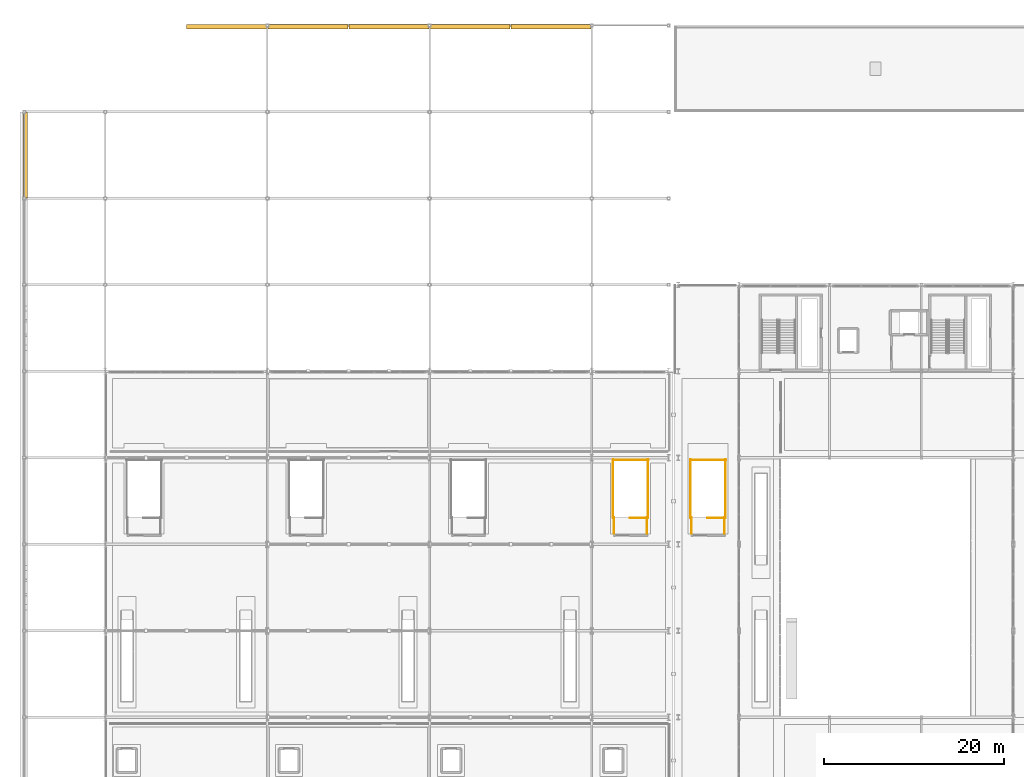
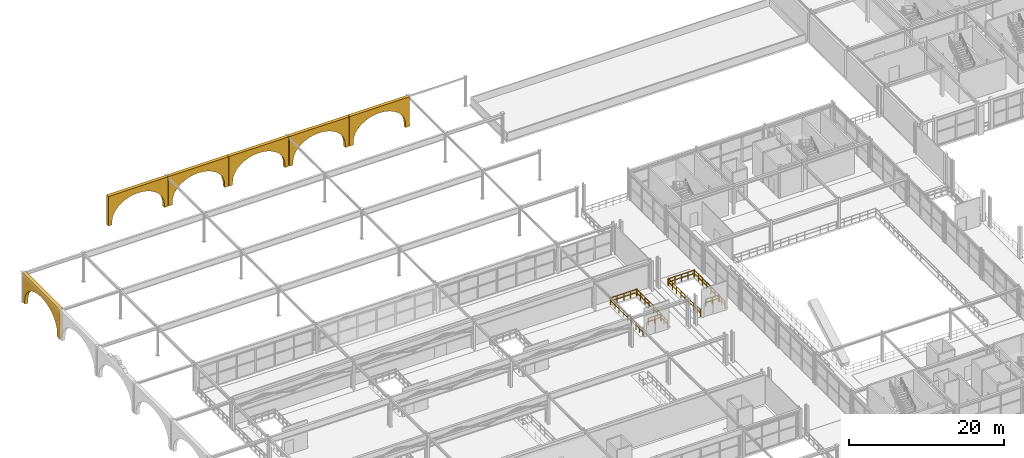
# One storey, part 105 of 125: 14 railings, 6 coverings.
"""IFC4 building model written with IfcOpenShell, lengths in metres."""

import ifcopenshell
import ifcopenshell.guid

model = None  # the IFC model being written
_history = None  # IfcOwnerHistory: only IFC2X3 demands one
_inside = {}  # id of a spatial element -> (the spatial element, [elements in it])
_under = {}  # id of a project, library or spatial element -> (it, [spatial elements below it])
_declared = {}  # id of a project -> (the project, [libraries it declares])
_typed = {}  # id of a type object -> (the type object, [elements of that type])
_made_of = {}  # id of a material, layer set ... -> (it, [elements and type objects made of it])


def new_model(schema):
    """Start an empty IFC model of exactly this schema.

    Asked for "IFC4X3", IfcOpenShell would pick the latest addendum, in which some entities
    have other attributes; the version numbers below select the first issue.
    IFC2X3 requires an IfcOwnerHistory on every rooted entity: one is made here for all.
    """
    global model, _history
    if schema == "IFC4X3":
        model = ifcopenshell.file(schema_version=(4, 3, 0, 0))
    else:
        model = ifcopenshell.file(schema=schema)
    _inside.clear()
    _under.clear()
    _declared.clear()
    _typed.clear()
    _made_of.clear()
    _history = None
    if model.schema == "IFC2X3":
        org = make("IfcOrganization", Name="unknown")
        user = make(
            "IfcPersonAndOrganization",
            ThePerson=make("IfcPerson", FamilyName="unknown"),
            TheOrganization=org,
        )
        app = make(
            "IfcApplication",
            ApplicationDeveloper=org,
            Version="unknown",
            ApplicationFullName="unknown",
            ApplicationIdentifier="unknown",
        )
        _history = make(
            "IfcOwnerHistory",
            OwningUser=user,
            OwningApplication=app,
            ChangeAction="ADDED",
            CreationDate=0,
        )
    return model


def make(cls, **values):
    """One entity of the class cls with the attributes given. An attribute that is None is left unset."""
    return model.create_entity(
        cls, **{name: value for name, value in values.items() if value is not None}
    )


def rooted(cls, **values):
    """An entity with a GlobalId (a new one), such as an element, a storey or a relation."""
    return make(cls, GlobalId=ifcopenshell.guid.new(), OwnerHistory=_history, **values)


def si_unit(unit_type, name, prefix=None):
    """IfcSIUnit, for example si_unit("LENGTHUNIT", "METRE", prefix="MILLI")."""
    return make("IfcSIUnit", UnitType=unit_type, Prefix=prefix, Name=name)


def assignment(units):
    """IfcUnitAssignment: the units of a project."""
    return None if units is None else make("IfcUnitAssignment", Units=units)


def point(xyz):
    """IfcCartesianPoint."""
    return None if xyz is None else make("IfcCartesianPoint", Coordinates=xyz)


def direction(xyz):
    """IfcDirection."""
    return None if xyz is None else make("IfcDirection", DirectionRatios=xyz)


def frame(location, z_axis=None, x_axis=None):
    """IfcAxis2Placement3D, a coordinate frame: its origin and axes. An axis left out is left unset."""
    return make(
        "IfcAxis2Placement3D",
        Location=point(location),
        Axis=direction(z_axis),
        RefDirection=direction(x_axis),
    )


def frame_2d(location, x_axis=None):
    """IfcAxis2Placement2D, a coordinate frame in the plane: its origin and x axis."""
    return make(
        "IfcAxis2Placement2D", Location=point(location), RefDirection=direction(x_axis)
    )


def origin():
    """The frame at (0, 0, 0) with its axes left unset."""
    return frame((0.0, 0.0, 0.0))


def origin_2d():
    """The frame at (0, 0) in the plane with its x axis left unset."""
    return frame_2d((0.0, 0.0))


def place(relative_to, where):
    """IfcLocalPlacement: puts the frame where relative to a parent placement (None: the world)."""
    return make(
        "IfcLocalPlacement", PlacementRelTo=relative_to, RelativePlacement=where
    )


def context(
    kind, dimensions, precision=None, world=None, true_north=None, identifier=None
):
    """IfcGeometricRepresentationContext, for example the 3D "Model" context."""
    return make(
        "IfcGeometricRepresentationContext",
        ContextIdentifier=identifier,
        ContextType=kind,
        CoordinateSpaceDimension=dimensions,
        Precision=precision,
        WorldCoordinateSystem=world,
        TrueNorth=true_north,
    )


def subcontext(parent, identifier, kind, view, scale=None):
    """IfcGeometricRepresentationSubContext, for example "Body" below "Model"."""
    return make(
        "IfcGeometricRepresentationSubContext",
        ContextIdentifier=identifier,
        ContextType=kind,
        ParentContext=parent,
        TargetScale=scale,
        TargetView=view,
    )


def project(units=None, contexts=None):
    """IfcProject with its units and contexts."""
    return rooted(
        "IfcProject",
        Name="project",
        RepresentationContexts=contexts,
        UnitsInContext=assignment(units),
    )


def spatial(cls, under=None, at=None, **own):
    """A site, building, storey or space (cls), placed at a placement, below another one or the project."""
    s = rooted(cls, ObjectPlacement=at, **own)
    if under is not None:
        _under.setdefault(under.id(), (under, []))[1].append(s)
    return s


def polyline(points):
    """IfcPolyline through the points."""
    return make("IfcPolyline", Points=[point(p) for p in points])


def profile(cls, at=None, kind="AREA", **sizes):
    """A parametric profile (cls). Its sizes go by their IFC names, for example OverallWidth=200.0."""
    return make(cls, ProfileType=kind, Position=at, **sizes)


def rectangle(**sizes):
    """IfcRectangleProfileDef."""
    return profile("IfcRectangleProfileDef", **sizes)


def outline(outer, holes=None, kind="AREA"):
    """IfcArbitraryClosedProfileDef: a profile drawn as a closed curve; with holes, ...WithVoids."""
    if holes is None:
        return make("IfcArbitraryClosedProfileDef", ProfileType=kind, OuterCurve=outer)
    return make(
        "IfcArbitraryProfileDefWithVoids",
        ProfileType=kind,
        OuterCurve=outer,
        InnerCurves=holes,
    )


def extrude(swept, where, along, depth):
    """IfcExtrudedAreaSolid: the profile swept, set in the frame where, extruded along a direction by depth."""
    return make(
        "IfcExtrudedAreaSolid",
        SweptArea=swept,
        Position=where,
        ExtrudedDirection=direction(along),
        Depth=depth,
    )


def shape(context_of_items, identifier, shape_type, items):
    """IfcShapeRepresentation: the items that make up one representation, for example the "Body"."""
    return make(
        "IfcShapeRepresentation",
        ContextOfItems=context_of_items,
        RepresentationIdentifier=identifier,
        RepresentationType=shape_type,
        Items=items,
    )


def material(Name=None, Category=None):
    """IfcMaterial."""
    return make("IfcMaterial", Name=Name, Category=Category)


def layer(
    of_material, thickness, ventilated=None, Name=None, Category=None, Priority=None
):
    """IfcMaterialLayer: one layer of a wall or slab, of a material (None: an air gap)."""
    return make(
        "IfcMaterialLayer",
        Material=of_material,
        LayerThickness=thickness,
        IsVentilated=ventilated,
        Name=Name,
        Category=Category,
        Priority=Priority,
    )


def layer_set(layers, Name=None):
    """IfcMaterialLayerSet."""
    return make("IfcMaterialLayerSet", MaterialLayers=layers, LayerSetName=Name)


def made_of(thing, what):
    """Note that an element or type object is made of a material, layer set ...; save() writes the relation."""
    if what is not None:
        _made_of.setdefault(what.id(), (what, []))[1].append(thing)
    return thing


def type_object(cls, material=None, **own):
    """A type object (cls), such as IfcWallType, which elements share."""
    return made_of(rooted(cls, **own), material)


def element(
    cls,
    number,
    at=None,
    inside=None,
    cuts=None,
    type_object=None,
    material=None,
    context=None,
    identifier="Body",
    shape_type=None,
    held_by="IfcProductDefinitionShape",
    body=None,
    shapes=None,
    **own,
):
    """One element of the class cls, such as IfcWall. Its Tag is "e" and its number.

    at: its placement. inside: the storey or other place that contains it. cuts: it is an
    opening in that element (IfcRelVoidsElement). A single representation is given by context,
    identifier, shape_type and body (its items); several are given by shapes. held_by: the class
    of the entity that holds the representations. save() writes the other relations.
    """
    e = rooted(cls, Tag="e%d" % number, ObjectPlacement=at, **own)
    if body is not None:
        shapes = [shape(context, identifier, shape_type, body)]
    if shapes is not None:
        e.Representation = make(held_by, Representations=shapes)
    if inside is not None:
        _inside.setdefault(inside.id(), (inside, []))[1].append(e)
    if cuts is not None:
        rooted(
            "IfcRelVoidsElement", RelatingBuildingElement=cuts, RelatedOpeningElement=e
        )
    if type_object is not None:
        _typed.setdefault(type_object.id(), (type_object, []))[1].append(e)
    return made_of(e, material)


def aggregate(whole, parts):
    """IfcRelAggregates: a whole, such as a stair, and the parts it consists of."""
    return rooted("IfcRelAggregates", RelatingObject=whole, RelatedObjects=parts)


def save(model, path):
    """Write the relations noted so far, then the file.

    IfcRelAggregates (storeys below a building ...), IfcRelContainedInSpatialStructure (elements
    in a storey), IfcRelDefinesByType, IfcRelAssociatesMaterial and IfcRelDeclares: one each for
    every whole, place, type object, material and project.
    """
    for whole, parts in _under.values():
        aggregate(whole, parts)
    for where, things in _inside.values():
        rooted(
            "IfcRelContainedInSpatialStructure",
            RelatedElements=things,
            RelatingStructure=where,
        )
    for kind, things in _typed.values():
        rooted("IfcRelDefinesByType", RelatedObjects=things, RelatingType=kind)
    for what, things in _made_of.values():
        rooted("IfcRelAssociatesMaterial", RelatedObjects=things, RelatingMaterial=what)
    for by, libraries in _declared.values():
        rooted("IfcRelDeclares", RelatingContext=by, RelatedDefinitions=libraries)
    model.write(path)


model = new_model("IFC4")

# Units and contexts
model_context = context("Model", 3, precision=1e-05, world=origin(), true_north=direction((0.0, 1.0)))
body_context = subcontext(model_context, "Body", "Model", "MODEL_VIEW")
ifc_project = project(units=[si_unit("LENGTHUNIT", "METRE"), si_unit("AREAUNIT", "SQUARE_METRE"), si_unit("VOLUMEUNIT", "CUBIC_METRE"), si_unit("PLANEANGLEUNIT", "RADIAN"), si_unit("MASSUNIT", "GRAM", prefix="KILO")], contexts=[model_context])

# Site, building, storey
site_placement = place(None, origin())
site = spatial("IfcSite", under=ifc_project, at=site_placement, CompositionType="ELEMENT")
building_placement = place(site_placement, origin())
building = spatial("IfcBuilding", under=site, at=building_placement, Name="Myrtia Square Station", CompositionType="ELEMENT")
storey_placement = place(building_placement, frame((0.0, 0.0, 6.0)))
storey = spatial("IfcBuildingStorey", under=building, at=storey_placement, Name="L01", CompositionType="ELEMENT", Elevation=6.0)

# Coverings
ifc_material_1 = material(Name="Pentelic marble ashlar", Category="masonry")
ifc_layer = layer(ifc_material_1, 0.4599609375, Name="Pentelic marble ashlar")
ifc_layer_set = layer_set([ifc_layer], Name="Pentelic marble ashlar")
covering_type = type_object("IfcCoveringType", Name="COV-ARCH-ASHLAR", PredefinedType="CLADDING", material=ifc_layer_set)
covering_placement = place(storey_placement, frame((0.14990234375, 105.64990234375, -0.050048828125), z_axis=(0.0, 0.0, 1.0), x_axis=(0.0, 1.0, 0.0)))
element("IfcCovering", 1, at=covering_placement, inside=storey, type_object=covering_type, Name="Train shed west track-throat portal arch 062", PredefinedType="CLADDING", context=body_context, shape_type="SweptSolid", body=[
    extrude(outline(polyline([(0.0, 0.0), (0.550048828125, 0.0), (0.550048828125, 0.550048828125), (0.630615234375, 1.16455078125), (0.86962890625, 1.755615234375), (1.2578125, 2.300048828125), (1.7802734375, 2.77734375), (2.41650390625, 3.169189453125), (3.142822265625, 3.460205078125), (3.9306640625, 3.639404296875), (4.75, 3.699951171875), (5.5693359375, 3.639404296875), (6.357177734375, 3.460205078125), (7.08349609375, 3.169189453125), (7.7197265625, 2.77734375), (8.2421875, 2.300048828125), (8.63037109375, 1.755615234375), (8.869384765625, 1.16455078125), (8.949951171875, 0.550048828125), (8.949951171875, 0.0), (9.5, 0.0), (9.5, 4.670166015625), (0.0, 4.670166015625), (0.0, 0.0)])), frame((0.0, 0.25, 0.0), z_axis=(0.0, -1.0, 0.0), x_axis=(1.0, 0.0, 0.0)), (0.0, 0.0, 1.0), 0.5),
])
for number, where, z_axis, x_axis, name in (
    (2, (18.050048828125, 124.64990234375, -0.050048828125), (0.0, 0.0, 1.0), (1.0, 0.0, 0.0), "Train shed north clerestory arcade arch 064"),
    (3, (27.050048828125, 124.64990234375, -0.050048828125), (0.0, 0.0, 1.0), (1.0, 0.0, 0.0), "Train shed north clerestory arcade arch 066"),
    (4, (36.050048828125, 124.64990234375, -0.050048828125), (0.0, 0.0, 1.0), (1.0, 0.0, 0.0), "Train shed north clerestory arcade arch 068"),
    (5, (45.050048828125, 124.64990234375, -0.050048828125), (0.0, 0.0, 1.0), (1.0, 0.0, 0.0), "Train shed north clerestory arcade arch 070"),
    (6, (54.050048828125, 124.64990234375, -0.050048828125), (0.0, 0.0, 1.0), (1.0, 0.0, 0.0), "Train shed north clerestory arcade arch 072"),
):
    element("IfcCovering", number, at=place(storey_placement, frame(where, z_axis=z_axis, x_axis=x_axis)), inside=storey, type_object=covering_type, Name=name, PredefinedType="CLADDING", context=body_context, shape_type="SweptSolid", body=[
        extrude(outline(polyline([(0.0, 0.0), (0.550048828125, 0.0), (0.550048828125, 0.550048828125), (0.625, 1.16455078125), (0.846923828125, 1.755615234375), (1.207275390625, 2.300048828125), (1.6923828125, 2.77734375), (2.283203125, 3.169189453125), (2.95751953125, 3.460205078125), (3.689208984375, 3.639404296875), (4.449951171875, 3.699951171875), (5.210693359375, 3.639404296875), (5.9423828125, 3.460205078125), (6.61669921875, 3.169189453125), (7.20751953125, 2.77734375), (7.692626953125, 2.300048828125), (8.052978515625, 1.755615234375), (8.27490234375, 1.16455078125), (8.349853515625, 0.550048828125), (8.349853515625, 0.0), (8.89990234375, 0.0), (8.89990234375, 4.670166015625), (0.0, 4.670166015625), (0.0, 0.0)])), frame((0.0, 0.239990234375, 0.0), z_axis=(0.0, -1.0, 0.0), x_axis=(1.0, 0.0, 0.0)), (0.0, 0.0, 1.0), 0.47998046875),
    ])

# Railings
ifc_material_2 = material(Name="Wrought iron", Category="steel")
railing_type = type_object("IfcRailingType", Name="RL-INT-GUARD-1100", PredefinedType="BALUSTRADE", material=ifc_material_2)
railing_1_placement = place(storey_placement, frame((69.199951171875, 70.14990234375, 0.0)))
element("IfcRailing", 7, at=railing_1_placement, inside=storey, type_object=railing_type, Name="L01 ST68 top well guard 1", PredefinedType="BALUSTRADE", context=body_context, shape_type="SweptSolid", body=[
    extrude(rectangle(XDim=0.048095703125, YDim=0.048095703125, at=origin_2d()), frame((-0.03466796875, 0.0, 1.09619140625), z_axis=(-1.0, 0.0, 0.0), x_axis=(0.0, -1.0, 0.0)), (0.0, 0.0, 1.0), 0.91064453125),
    extrude(rectangle(XDim=0.048095703125, YDim=0.048095703125, at=origin_2d()), frame((-0.03466796875, 0.0, 0.58251953125), z_axis=(-1.0, 0.0, 0.0), x_axis=(0.0, -1.0, 0.0)), (0.0, 0.0, 1.0), 0.91064453125),
    extrude(rectangle(XDim=0.048095703125, YDim=0.048095703125, at=origin_2d()), frame((-1.0146484375, 0.0, 1.09619140625), z_axis=(-1.0, 0.0, 0.0), x_axis=(0.0, -1.0, 0.0)), (0.0, 0.0, 1.0), 0.91064453125),
    extrude(rectangle(XDim=0.048095703125, YDim=0.048095703125, at=origin_2d()), frame((-1.0146484375, 0.0, 0.58251953125), z_axis=(-1.0, 0.0, 0.0), x_axis=(0.0, -1.0, 0.0)), (0.0, 0.0, 1.0), 0.91064453125),
    extrude(rectangle(XDim=0.0439453125, YDim=0.0439453125, at=origin_2d()), origin(), (0.0, 0.0, 1.0), 1.1201171875),
    extrude(rectangle(XDim=0.0439453125, YDim=0.0439453125, at=origin_2d()), frame((-0.97998046875, 0.0, 0.0)), (0.0, 0.0, 1.0), 1.1201171875),
    extrude(rectangle(XDim=0.0439453125, YDim=0.0439453125, at=origin_2d()), frame((-1.9599609375, 0.0, 0.0)), (0.0, 0.0, 1.0), 1.1201171875),
])
railing_2_placement = place(storey_placement, frame((69.25, 70.10009765625, 0.0)))
element("IfcRailing", 8, at=railing_2_placement, inside=storey, type_object=railing_type, Name="L01 ST68 top well guard 2", PredefinedType="BALUSTRADE", context=body_context, shape_type="SweptSolid", body=[
    extrude(rectangle(XDim=0.048095703125, YDim=0.048095703125, at=origin_2d()), frame((0.0, 0.03466796875, 1.09619140625), z_axis=(0.0, 1.0, 0.0), x_axis=(-1.0, 0.0, 0.0)), (0.0, 0.0, 1.0), 1.01416015625),
    extrude(rectangle(XDim=0.048095703125, YDim=0.048095703125, at=origin_2d()), frame((0.0, 0.03466796875, 0.58251953125), z_axis=(0.0, 1.0, 0.0), x_axis=(-1.0, 0.0, 0.0)), (0.0, 0.0, 1.0), 1.01416015625),
    extrude(rectangle(XDim=0.048095703125, YDim=0.048095703125, at=origin_2d()), frame((0.0, 1.117919921875, 1.09619140625), z_axis=(0.0, 1.0, 0.0), x_axis=(-1.0, 0.0, 0.0)), (0.0, 0.0, 1.0), 1.01416015625),
    extrude(rectangle(XDim=0.048095703125, YDim=0.048095703125, at=origin_2d()), frame((0.0, 1.117919921875, 0.58251953125), z_axis=(0.0, 1.0, 0.0), x_axis=(-1.0, 0.0, 0.0)), (0.0, 0.0, 1.0), 1.01416015625),
    extrude(rectangle(XDim=0.048095703125, YDim=0.048095703125, at=origin_2d()), frame((0.0, 2.201416015625, 1.09619140625), z_axis=(0.0, 1.0, 0.0), x_axis=(-1.0, 0.0, 0.0)), (0.0, 0.0, 1.0), 1.01416015625),
    extrude(rectangle(XDim=0.048095703125, YDim=0.048095703125, at=origin_2d()), frame((0.0, 2.201416015625, 0.58251953125), z_axis=(0.0, 1.0, 0.0), x_axis=(-1.0, 0.0, 0.0)), (0.0, 0.0, 1.0), 1.01416015625),
    extrude(rectangle(XDim=0.048095703125, YDim=0.048095703125, at=origin_2d()), frame((0.0, 3.28466796875, 1.09619140625), z_axis=(0.0, 1.0, 0.0), x_axis=(-1.0, 0.0, 0.0)), (0.0, 0.0, 1.0), 1.01416015625),
    extrude(rectangle(XDim=0.048095703125, YDim=0.048095703125, at=origin_2d()), frame((0.0, 3.28466796875, 0.58251953125), z_axis=(0.0, 1.0, 0.0), x_axis=(-1.0, 0.0, 0.0)), (0.0, 0.0, 1.0), 1.01416015625),
    extrude(rectangle(XDim=0.048095703125, YDim=0.048095703125, at=origin_2d()), frame((0.0, 4.367919921875, 1.09619140625), z_axis=(0.0, 1.0, 0.0), x_axis=(-1.0, 0.0, 0.0)), (0.0, 0.0, 1.0), 1.01416015625),
    extrude(rectangle(XDim=0.048095703125, YDim=0.048095703125, at=origin_2d()), frame((0.0, 4.367919921875, 0.58251953125), z_axis=(0.0, 1.0, 0.0), x_axis=(-1.0, 0.0, 0.0)), (0.0, 0.0, 1.0), 1.01416015625),
    extrude(rectangle(XDim=0.048095703125, YDim=0.048095703125, at=origin_2d()), frame((0.0, 5.451416015625, 1.09619140625), z_axis=(0.0, 1.0, 0.0), x_axis=(-1.0, 0.0, 0.0)), (0.0, 0.0, 1.0), 1.01416015625),
    extrude(rectangle(XDim=0.048095703125, YDim=0.048095703125, at=origin_2d()), frame((0.0, 5.451416015625, 0.58251953125), z_axis=(0.0, 1.0, 0.0), x_axis=(-1.0, 0.0, 0.0)), (0.0, 0.0, 1.0), 1.01416015625),
    extrude(rectangle(XDim=0.0439453125, YDim=0.0439453125, at=origin_2d()), origin(), (0.0, 0.0, 1.0), 1.1201171875),
    extrude(rectangle(XDim=0.0439453125, YDim=0.0439453125, at=origin_2d()), frame((0.0, 1.083251953125, 0.0)), (0.0, 0.0, 1.0), 1.1201171875),
    extrude(rectangle(XDim=0.0439453125, YDim=0.0439453125, at=origin_2d()), frame((0.0, 2.166748046875, 0.0)), (0.0, 0.0, 1.0), 1.1201171875),
    extrude(rectangle(XDim=0.0439453125, YDim=0.0439453125, at=origin_2d()), frame((0.0, 3.25, 0.0)), (0.0, 0.0, 1.0), 1.1201171875),
    extrude(rectangle(XDim=0.0439453125, YDim=0.0439453125, at=origin_2d()), frame((0.0, 4.333251953125, 0.0)), (0.0, 0.0, 1.0), 1.1201171875),
    extrude(rectangle(XDim=0.0439453125, YDim=0.0439453125, at=origin_2d()), frame((0.0, 5.416748046875, 0.0)), (0.0, 0.0, 1.0), 1.1201171875),
    extrude(rectangle(XDim=0.0439453125, YDim=0.0439453125, at=origin_2d()), frame((0.0, 6.5, 0.0)), (0.0, 0.0, 1.0), 1.1201171875),
])
railing_3_placement = place(storey_placement, frame((65.389892578125, 70.10009765625, 0.0)))
element("IfcRailing", 9, at=railing_3_placement, inside=storey, type_object=railing_type, Name="L01 ST68 top well guard 3", PredefinedType="BALUSTRADE", context=body_context, shape_type="SweptSolid", body=[
    extrude(rectangle(XDim=0.048095703125, YDim=0.048095703125, at=origin_2d()), frame((0.0, 0.03466796875, 1.09619140625), z_axis=(0.0, 1.0, 0.0), x_axis=(-1.0, 0.0, 0.0)), (0.0, 0.0, 1.0), 1.01416015625),
    extrude(rectangle(XDim=0.048095703125, YDim=0.048095703125, at=origin_2d()), frame((0.0, 0.03466796875, 0.58251953125), z_axis=(0.0, 1.0, 0.0), x_axis=(-1.0, 0.0, 0.0)), (0.0, 0.0, 1.0), 1.01416015625),
    extrude(rectangle(XDim=0.048095703125, YDim=0.048095703125, at=origin_2d()), frame((0.0, 1.117919921875, 1.09619140625), z_axis=(0.0, 1.0, 0.0), x_axis=(-1.0, 0.0, 0.0)), (0.0, 0.0, 1.0), 1.01416015625),
    extrude(rectangle(XDim=0.048095703125, YDim=0.048095703125, at=origin_2d()), frame((0.0, 1.117919921875, 0.58251953125), z_axis=(0.0, 1.0, 0.0), x_axis=(-1.0, 0.0, 0.0)), (0.0, 0.0, 1.0), 1.01416015625),
    extrude(rectangle(XDim=0.048095703125, YDim=0.048095703125, at=origin_2d()), frame((0.0, 2.201416015625, 1.09619140625), z_axis=(0.0, 1.0, 0.0), x_axis=(-1.0, 0.0, 0.0)), (0.0, 0.0, 1.0), 1.01416015625),
    extrude(rectangle(XDim=0.048095703125, YDim=0.048095703125, at=origin_2d()), frame((0.0, 2.201416015625, 0.58251953125), z_axis=(0.0, 1.0, 0.0), x_axis=(-1.0, 0.0, 0.0)), (0.0, 0.0, 1.0), 1.01416015625),
    extrude(rectangle(XDim=0.048095703125, YDim=0.048095703125, at=origin_2d()), frame((0.0, 3.28466796875, 1.09619140625), z_axis=(0.0, 1.0, 0.0), x_axis=(-1.0, 0.0, 0.0)), (0.0, 0.0, 1.0), 1.01416015625),
    extrude(rectangle(XDim=0.048095703125, YDim=0.048095703125, at=origin_2d()), frame((0.0, 3.28466796875, 0.58251953125), z_axis=(0.0, 1.0, 0.0), x_axis=(-1.0, 0.0, 0.0)), (0.0, 0.0, 1.0), 1.01416015625),
    extrude(rectangle(XDim=0.048095703125, YDim=0.048095703125, at=origin_2d()), frame((0.0, 4.367919921875, 1.09619140625), z_axis=(0.0, 1.0, 0.0), x_axis=(-1.0, 0.0, 0.0)), (0.0, 0.0, 1.0), 1.01416015625),
    extrude(rectangle(XDim=0.048095703125, YDim=0.048095703125, at=origin_2d()), frame((0.0, 4.367919921875, 0.58251953125), z_axis=(0.0, 1.0, 0.0), x_axis=(-1.0, 0.0, 0.0)), (0.0, 0.0, 1.0), 1.01416015625),
    extrude(rectangle(XDim=0.048095703125, YDim=0.048095703125, at=origin_2d()), frame((0.0, 5.451416015625, 1.09619140625), z_axis=(0.0, 1.0, 0.0), x_axis=(-1.0, 0.0, 0.0)), (0.0, 0.0, 1.0), 1.01416015625),
    extrude(rectangle(XDim=0.048095703125, YDim=0.048095703125, at=origin_2d()), frame((0.0, 5.451416015625, 0.58251953125), z_axis=(0.0, 1.0, 0.0), x_axis=(-1.0, 0.0, 0.0)), (0.0, 0.0, 1.0), 1.01416015625),
    extrude(rectangle(XDim=0.0439453125, YDim=0.0439453125, at=origin_2d()), origin(), (0.0, 0.0, 1.0), 1.1201171875),
    extrude(rectangle(XDim=0.0439453125, YDim=0.0439453125, at=origin_2d()), frame((0.0, 1.083251953125, 0.0)), (0.0, 0.0, 1.0), 1.1201171875),
    extrude(rectangle(XDim=0.0439453125, YDim=0.0439453125, at=origin_2d()), frame((0.0, 2.166748046875, 0.0)), (0.0, 0.0, 1.0), 1.1201171875),
    extrude(rectangle(XDim=0.0439453125, YDim=0.0439453125, at=origin_2d()), frame((0.0, 3.25, 0.0)), (0.0, 0.0, 1.0), 1.1201171875),
    extrude(rectangle(XDim=0.0439453125, YDim=0.0439453125, at=origin_2d()), frame((0.0, 4.333251953125, 0.0)), (0.0, 0.0, 1.0), 1.1201171875),
    extrude(rectangle(XDim=0.0439453125, YDim=0.0439453125, at=origin_2d()), frame((0.0, 5.416748046875, 0.0)), (0.0, 0.0, 1.0), 1.1201171875),
    extrude(rectangle(XDim=0.0439453125, YDim=0.0439453125, at=origin_2d()), frame((0.0, 6.5, 0.0)), (0.0, 0.0, 1.0), 1.1201171875),
])
railing_4_placement = place(storey_placement, frame((69.300048828125, 76.550048828125, 0.0)))
element("IfcRailing", 10, at=railing_4_placement, inside=storey, type_object=railing_type, Name="L01 ST68 top well guard 4", PredefinedType="BALUSTRADE", context=body_context, shape_type="SweptSolid", body=[
    extrude(rectangle(XDim=0.048095703125, YDim=0.048095703125, at=origin_2d()), frame((-0.03466796875, 0.0, 1.09619140625), z_axis=(-1.0, 0.0, 0.0), x_axis=(0.0, -1.0, 0.0)), (0.0, 0.0, 1.0), 0.920654296875),
    extrude(rectangle(XDim=0.048095703125, YDim=0.048095703125, at=origin_2d()), frame((-0.03466796875, 0.0, 0.58251953125), z_axis=(-1.0, 0.0, 0.0), x_axis=(0.0, -1.0, 0.0)), (0.0, 0.0, 1.0), 0.920654296875),
    extrude(rectangle(XDim=0.048095703125, YDim=0.048095703125, at=origin_2d()), frame((-1.024658203125, 0.0, 1.09619140625), z_axis=(-1.0, 0.0, 0.0), x_axis=(0.0, -1.0, 0.0)), (0.0, 0.0, 1.0), 0.920654296875),
    extrude(rectangle(XDim=0.048095703125, YDim=0.048095703125, at=origin_2d()), frame((-1.024658203125, 0.0, 0.58251953125), z_axis=(-1.0, 0.0, 0.0), x_axis=(0.0, -1.0, 0.0)), (0.0, 0.0, 1.0), 0.920654296875),
    extrude(rectangle(XDim=0.048095703125, YDim=0.048095703125, at=origin_2d()), frame((-2.0146484375, 0.0, 1.09619140625), z_axis=(-1.0, 0.0, 0.0), x_axis=(0.0, -1.0, 0.0)), (0.0, 0.0, 1.0), 0.920654296875),
    extrude(rectangle(XDim=0.048095703125, YDim=0.048095703125, at=origin_2d()), frame((-2.0146484375, 0.0, 0.58251953125), z_axis=(-1.0, 0.0, 0.0), x_axis=(0.0, -1.0, 0.0)), (0.0, 0.0, 1.0), 0.920654296875),
    extrude(rectangle(XDim=0.048095703125, YDim=0.048095703125, at=origin_2d()), frame((-3.004638671875, 0.0, 1.09619140625), z_axis=(-1.0, 0.0, 0.0), x_axis=(0.0, -1.0, 0.0)), (0.0, 0.0, 1.0), 0.920654296875),
    extrude(rectangle(XDim=0.048095703125, YDim=0.048095703125, at=origin_2d()), frame((-3.004638671875, 0.0, 0.58251953125), z_axis=(-1.0, 0.0, 0.0), x_axis=(0.0, -1.0, 0.0)), (0.0, 0.0, 1.0), 0.920654296875),
    extrude(rectangle(XDim=0.0439453125, YDim=0.0439453125, at=origin_2d()), origin(), (0.0, 0.0, 1.0), 1.1201171875),
    extrude(rectangle(XDim=0.0439453125, YDim=0.0439453125, at=origin_2d()), frame((-0.989990234375, 0.0, 0.0)), (0.0, 0.0, 1.0), 1.1201171875),
    extrude(rectangle(XDim=0.0439453125, YDim=0.0439453125, at=origin_2d()), frame((-1.97998046875, 0.0, 0.0)), (0.0, 0.0, 1.0), 1.1201171875),
    extrude(rectangle(XDim=0.0439453125, YDim=0.0439453125, at=origin_2d()), frame((-2.969970703125, 0.0, 0.0)), (0.0, 0.0, 1.0), 1.1201171875),
    extrude(rectangle(XDim=0.0439453125, YDim=0.0439453125, at=origin_2d()), frame((-3.9599609375, 0.0, 0.0)), (0.0, 0.0, 1.0), 1.1201171875),
])
for number, where, name in (
    (11, (69.14990234375, 68.39990234375, 0.0), "L01 ST68 top well guard 5"),
    (12, (65.489990234375, 68.39990234375, 0.0), "L01 ST68 top well guard 6"),
):
    element("IfcRailing", number, at=place(storey_placement, frame(where)), inside=storey, type_object=railing_type, Name=name, PredefinedType="BALUSTRADE", context=body_context, shape_type="SweptSolid", body=[
        extrude(rectangle(XDim=0.048095703125, YDim=0.048095703125, at=origin_2d()), frame((0.0, 0.03466796875, 1.09619140625), z_axis=(0.0, 1.0, 0.0), x_axis=(-1.0, 0.0, 0.0)), (0.0, 0.0, 1.0), 0.830810546875),
        extrude(rectangle(XDim=0.048095703125, YDim=0.048095703125, at=origin_2d()), frame((0.0, 0.03466796875, 0.58251953125), z_axis=(0.0, 1.0, 0.0), x_axis=(-1.0, 0.0, 0.0)), (0.0, 0.0, 1.0), 0.830810546875),
        extrude(rectangle(XDim=0.048095703125, YDim=0.048095703125, at=origin_2d()), frame((0.0, 0.9345703125, 1.09619140625), z_axis=(0.0, 1.0, 0.0), x_axis=(-1.0, 0.0, 0.0)), (0.0, 0.0, 1.0), 0.830810546875),
        extrude(rectangle(XDim=0.048095703125, YDim=0.048095703125, at=origin_2d()), frame((0.0, 0.9345703125, 0.58251953125), z_axis=(0.0, 1.0, 0.0), x_axis=(-1.0, 0.0, 0.0)), (0.0, 0.0, 1.0), 0.830810546875),
        extrude(rectangle(XDim=0.0439453125, YDim=0.0439453125, at=origin_2d()), origin(), (0.0, 0.0, 1.0), 1.1201171875),
        extrude(rectangle(XDim=0.0439453125, YDim=0.0439453125, at=origin_2d()), frame((0.0, 0.89990234375, 0.0)), (0.0, 0.0, 1.0), 1.1201171875),
        extrude(rectangle(XDim=0.0439453125, YDim=0.0439453125, at=origin_2d()), frame((0.0, 1.800048828125, 0.0)), (0.0, 0.0, 1.0), 1.1201171875),
    ])
railing_5_placement = place(storey_placement, frame((77.800048828125, 70.14990234375, 0.0)))
element("IfcRailing", 13, at=railing_5_placement, inside=storey, type_object=railing_type, Name="L01 ST69 top well guard 1", PredefinedType="BALUSTRADE", context=body_context, shape_type="SweptSolid", body=[
    extrude(rectangle(XDim=0.048095703125, YDim=0.048095703125, at=origin_2d()), frame((-0.03466796875, 0.0, 1.09619140625), z_axis=(-1.0, 0.0, 0.0), x_axis=(0.0, -1.0, 0.0)), (0.0, 0.0, 1.0), 0.91064453125),
    extrude(rectangle(XDim=0.048095703125, YDim=0.048095703125, at=origin_2d()), frame((-0.03466796875, 0.0, 0.58251953125), z_axis=(-1.0, 0.0, 0.0), x_axis=(0.0, -1.0, 0.0)), (0.0, 0.0, 1.0), 0.91064453125),
    extrude(rectangle(XDim=0.048095703125, YDim=0.048095703125, at=origin_2d()), frame((-1.0146484375, 0.0, 1.09619140625), z_axis=(-1.0, 0.0, 0.0), x_axis=(0.0, -1.0, 0.0)), (0.0, 0.0, 1.0), 0.91064453125),
    extrude(rectangle(XDim=0.048095703125, YDim=0.048095703125, at=origin_2d()), frame((-1.0146484375, 0.0, 0.58251953125), z_axis=(-1.0, 0.0, 0.0), x_axis=(0.0, -1.0, 0.0)), (0.0, 0.0, 1.0), 0.91064453125),
    extrude(rectangle(XDim=0.0439453125, YDim=0.0439453125, at=origin_2d()), origin(), (0.0, 0.0, 1.0), 1.1201171875),
    extrude(rectangle(XDim=0.0439453125, YDim=0.0439453125, at=origin_2d()), frame((-0.97998046875, 0.0, 0.0)), (0.0, 0.0, 1.0), 1.1201171875),
    extrude(rectangle(XDim=0.0439453125, YDim=0.0439453125, at=origin_2d()), frame((-1.9599609375, 0.0, 0.0)), (0.0, 0.0, 1.0), 1.1201171875),
])
railing_6_placement = place(storey_placement, frame((77.85009765625, 70.10009765625, 0.0)))
element("IfcRailing", 14, at=railing_6_placement, inside=storey, type_object=railing_type, Name="L01 ST69 top well guard 2", PredefinedType="BALUSTRADE", context=body_context, shape_type="SweptSolid", body=[
    extrude(rectangle(XDim=0.048095703125, YDim=0.048095703125, at=origin_2d()), frame((0.0, 0.03466796875, 1.09619140625), z_axis=(0.0, 1.0, 0.0), x_axis=(-1.0, 0.0, 0.0)), (0.0, 0.0, 1.0), 1.01416015625),
    extrude(rectangle(XDim=0.048095703125, YDim=0.048095703125, at=origin_2d()), frame((0.0, 0.03466796875, 0.58251953125), z_axis=(0.0, 1.0, 0.0), x_axis=(-1.0, 0.0, 0.0)), (0.0, 0.0, 1.0), 1.01416015625),
    extrude(rectangle(XDim=0.048095703125, YDim=0.048095703125, at=origin_2d()), frame((0.0, 1.117919921875, 1.09619140625), z_axis=(0.0, 1.0, 0.0), x_axis=(-1.0, 0.0, 0.0)), (0.0, 0.0, 1.0), 1.01416015625),
    extrude(rectangle(XDim=0.048095703125, YDim=0.048095703125, at=origin_2d()), frame((0.0, 1.117919921875, 0.58251953125), z_axis=(0.0, 1.0, 0.0), x_axis=(-1.0, 0.0, 0.0)), (0.0, 0.0, 1.0), 1.01416015625),
    extrude(rectangle(XDim=0.048095703125, YDim=0.048095703125, at=origin_2d()), frame((0.0, 2.201416015625, 1.09619140625), z_axis=(0.0, 1.0, 0.0), x_axis=(-1.0, 0.0, 0.0)), (0.0, 0.0, 1.0), 1.01416015625),
    extrude(rectangle(XDim=0.048095703125, YDim=0.048095703125, at=origin_2d()), frame((0.0, 2.201416015625, 0.58251953125), z_axis=(0.0, 1.0, 0.0), x_axis=(-1.0, 0.0, 0.0)), (0.0, 0.0, 1.0), 1.01416015625),
    extrude(rectangle(XDim=0.048095703125, YDim=0.048095703125, at=origin_2d()), frame((0.0, 3.28466796875, 1.09619140625), z_axis=(0.0, 1.0, 0.0), x_axis=(-1.0, 0.0, 0.0)), (0.0, 0.0, 1.0), 1.01416015625),
    extrude(rectangle(XDim=0.048095703125, YDim=0.048095703125, at=origin_2d()), frame((0.0, 3.28466796875, 0.58251953125), z_axis=(0.0, 1.0, 0.0), x_axis=(-1.0, 0.0, 0.0)), (0.0, 0.0, 1.0), 1.01416015625),
    extrude(rectangle(XDim=0.048095703125, YDim=0.048095703125, at=origin_2d()), frame((0.0, 4.367919921875, 1.09619140625), z_axis=(0.0, 1.0, 0.0), x_axis=(-1.0, 0.0, 0.0)), (0.0, 0.0, 1.0), 1.01416015625),
    extrude(rectangle(XDim=0.048095703125, YDim=0.048095703125, at=origin_2d()), frame((0.0, 4.367919921875, 0.58251953125), z_axis=(0.0, 1.0, 0.0), x_axis=(-1.0, 0.0, 0.0)), (0.0, 0.0, 1.0), 1.01416015625),
    extrude(rectangle(XDim=0.048095703125, YDim=0.048095703125, at=origin_2d()), frame((0.0, 5.451416015625, 1.09619140625), z_axis=(0.0, 1.0, 0.0), x_axis=(-1.0, 0.0, 0.0)), (0.0, 0.0, 1.0), 1.01416015625),
    extrude(rectangle(XDim=0.048095703125, YDim=0.048095703125, at=origin_2d()), frame((0.0, 5.451416015625, 0.58251953125), z_axis=(0.0, 1.0, 0.0), x_axis=(-1.0, 0.0, 0.0)), (0.0, 0.0, 1.0), 1.01416015625),
    extrude(rectangle(XDim=0.0439453125, YDim=0.0439453125, at=origin_2d()), origin(), (0.0, 0.0, 1.0), 1.1201171875),
    extrude(rectangle(XDim=0.0439453125, YDim=0.0439453125, at=origin_2d()), frame((0.0, 1.083251953125, 0.0)), (0.0, 0.0, 1.0), 1.1201171875),
    extrude(rectangle(XDim=0.0439453125, YDim=0.0439453125, at=origin_2d()), frame((0.0, 2.166748046875, 0.0)), (0.0, 0.0, 1.0), 1.1201171875),
    extrude(rectangle(XDim=0.0439453125, YDim=0.0439453125, at=origin_2d()), frame((0.0, 3.25, 0.0)), (0.0, 0.0, 1.0), 1.1201171875),
    extrude(rectangle(XDim=0.0439453125, YDim=0.0439453125, at=origin_2d()), frame((0.0, 4.333251953125, 0.0)), (0.0, 0.0, 1.0), 1.1201171875),
    extrude(rectangle(XDim=0.0439453125, YDim=0.0439453125, at=origin_2d()), frame((0.0, 5.416748046875, 0.0)), (0.0, 0.0, 1.0), 1.1201171875),
    extrude(rectangle(XDim=0.0439453125, YDim=0.0439453125, at=origin_2d()), frame((0.0, 6.5, 0.0)), (0.0, 0.0, 1.0), 1.1201171875),
])
railing_7_placement = place(storey_placement, frame((73.989990234375, 70.10009765625, 0.0)))
element("IfcRailing", 15, at=railing_7_placement, inside=storey, type_object=railing_type, Name="L01 ST69 top well guard 3", PredefinedType="BALUSTRADE", context=body_context, shape_type="SweptSolid", body=[
    extrude(rectangle(XDim=0.048095703125, YDim=0.048095703125, at=origin_2d()), frame((0.0, 0.03466796875, 1.09619140625), z_axis=(0.0, 1.0, 0.0), x_axis=(-1.0, 0.0, 0.0)), (0.0, 0.0, 1.0), 1.01416015625),
    extrude(rectangle(XDim=0.048095703125, YDim=0.048095703125, at=origin_2d()), frame((0.0, 0.03466796875, 0.58251953125), z_axis=(0.0, 1.0, 0.0), x_axis=(-1.0, 0.0, 0.0)), (0.0, 0.0, 1.0), 1.01416015625),
    extrude(rectangle(XDim=0.048095703125, YDim=0.048095703125, at=origin_2d()), frame((0.0, 1.117919921875, 1.09619140625), z_axis=(0.0, 1.0, 0.0), x_axis=(-1.0, 0.0, 0.0)), (0.0, 0.0, 1.0), 1.01416015625),
    extrude(rectangle(XDim=0.048095703125, YDim=0.048095703125, at=origin_2d()), frame((0.0, 1.117919921875, 0.58251953125), z_axis=(0.0, 1.0, 0.0), x_axis=(-1.0, 0.0, 0.0)), (0.0, 0.0, 1.0), 1.01416015625),
    extrude(rectangle(XDim=0.048095703125, YDim=0.048095703125, at=origin_2d()), frame((0.0, 2.201416015625, 1.09619140625), z_axis=(0.0, 1.0, 0.0), x_axis=(-1.0, 0.0, 0.0)), (0.0, 0.0, 1.0), 1.01416015625),
    extrude(rectangle(XDim=0.048095703125, YDim=0.048095703125, at=origin_2d()), frame((0.0, 2.201416015625, 0.58251953125), z_axis=(0.0, 1.0, 0.0), x_axis=(-1.0, 0.0, 0.0)), (0.0, 0.0, 1.0), 1.01416015625),
    extrude(rectangle(XDim=0.048095703125, YDim=0.048095703125, at=origin_2d()), frame((0.0, 3.28466796875, 1.09619140625), z_axis=(0.0, 1.0, 0.0), x_axis=(-1.0, 0.0, 0.0)), (0.0, 0.0, 1.0), 1.01416015625),
    extrude(rectangle(XDim=0.048095703125, YDim=0.048095703125, at=origin_2d()), frame((0.0, 3.28466796875, 0.58251953125), z_axis=(0.0, 1.0, 0.0), x_axis=(-1.0, 0.0, 0.0)), (0.0, 0.0, 1.0), 1.01416015625),
    extrude(rectangle(XDim=0.048095703125, YDim=0.048095703125, at=origin_2d()), frame((0.0, 4.367919921875, 1.09619140625), z_axis=(0.0, 1.0, 0.0), x_axis=(-1.0, 0.0, 0.0)), (0.0, 0.0, 1.0), 1.01416015625),
    extrude(rectangle(XDim=0.048095703125, YDim=0.048095703125, at=origin_2d()), frame((0.0, 4.367919921875, 0.58251953125), z_axis=(0.0, 1.0, 0.0), x_axis=(-1.0, 0.0, 0.0)), (0.0, 0.0, 1.0), 1.01416015625),
    extrude(rectangle(XDim=0.048095703125, YDim=0.048095703125, at=origin_2d()), frame((0.0, 5.451416015625, 1.09619140625), z_axis=(0.0, 1.0, 0.0), x_axis=(-1.0, 0.0, 0.0)), (0.0, 0.0, 1.0), 1.01416015625),
    extrude(rectangle(XDim=0.048095703125, YDim=0.048095703125, at=origin_2d()), frame((0.0, 5.451416015625, 0.58251953125), z_axis=(0.0, 1.0, 0.0), x_axis=(-1.0, 0.0, 0.0)), (0.0, 0.0, 1.0), 1.01416015625),
    extrude(rectangle(XDim=0.0439453125, YDim=0.0439453125, at=origin_2d()), origin(), (0.0, 0.0, 1.0), 1.1201171875),
    extrude(rectangle(XDim=0.0439453125, YDim=0.0439453125, at=origin_2d()), frame((0.0, 1.083251953125, 0.0)), (0.0, 0.0, 1.0), 1.1201171875),
    extrude(rectangle(XDim=0.0439453125, YDim=0.0439453125, at=origin_2d()), frame((0.0, 2.166748046875, 0.0)), (0.0, 0.0, 1.0), 1.1201171875),
    extrude(rectangle(XDim=0.0439453125, YDim=0.0439453125, at=origin_2d()), frame((0.0, 3.25, 0.0)), (0.0, 0.0, 1.0), 1.1201171875),
    extrude(rectangle(XDim=0.0439453125, YDim=0.0439453125, at=origin_2d()), frame((0.0, 4.333251953125, 0.0)), (0.0, 0.0, 1.0), 1.1201171875),
    extrude(rectangle(XDim=0.0439453125, YDim=0.0439453125, at=origin_2d()), frame((0.0, 5.416748046875, 0.0)), (0.0, 0.0, 1.0), 1.1201171875),
    extrude(rectangle(XDim=0.0439453125, YDim=0.0439453125, at=origin_2d()), frame((0.0, 6.5, 0.0)), (0.0, 0.0, 1.0), 1.1201171875),
])
railing_8_placement = place(storey_placement, frame((77.89990234375, 76.550048828125, 0.0)))
element("IfcRailing", 16, at=railing_8_placement, inside=storey, type_object=railing_type, Name="L01 ST69 top well guard 4", PredefinedType="BALUSTRADE", context=body_context, shape_type="SweptSolid", body=[
    extrude(rectangle(XDim=0.048095703125, YDim=0.048095703125, at=origin_2d()), frame((-0.03466796875, 0.0, 1.09619140625), z_axis=(-1.0, 0.0, 0.0), x_axis=(0.0, -1.0, 0.0)), (0.0, 0.0, 1.0), 0.920654296875),
    extrude(rectangle(XDim=0.048095703125, YDim=0.048095703125, at=origin_2d()), frame((-0.03466796875, 0.0, 0.58251953125), z_axis=(-1.0, 0.0, 0.0), x_axis=(0.0, -1.0, 0.0)), (0.0, 0.0, 1.0), 0.920654296875),
    extrude(rectangle(XDim=0.048095703125, YDim=0.048095703125, at=origin_2d()), frame((-1.024658203125, 0.0, 1.09619140625), z_axis=(-1.0, 0.0, 0.0), x_axis=(0.0, -1.0, 0.0)), (0.0, 0.0, 1.0), 0.920654296875),
    extrude(rectangle(XDim=0.048095703125, YDim=0.048095703125, at=origin_2d()), frame((-1.024658203125, 0.0, 0.58251953125), z_axis=(-1.0, 0.0, 0.0), x_axis=(0.0, -1.0, 0.0)), (0.0, 0.0, 1.0), 0.920654296875),
    extrude(rectangle(XDim=0.048095703125, YDim=0.048095703125, at=origin_2d()), frame((-2.0146484375, 0.0, 1.09619140625), z_axis=(-1.0, 0.0, 0.0), x_axis=(0.0, -1.0, 0.0)), (0.0, 0.0, 1.0), 0.920654296875),
    extrude(rectangle(XDim=0.048095703125, YDim=0.048095703125, at=origin_2d()), frame((-2.0146484375, 0.0, 0.58251953125), z_axis=(-1.0, 0.0, 0.0), x_axis=(0.0, -1.0, 0.0)), (0.0, 0.0, 1.0), 0.920654296875),
    extrude(rectangle(XDim=0.048095703125, YDim=0.048095703125, at=origin_2d()), frame((-3.004638671875, 0.0, 1.09619140625), z_axis=(-1.0, 0.0, 0.0), x_axis=(0.0, -1.0, 0.0)), (0.0, 0.0, 1.0), 0.920654296875),
    extrude(rectangle(XDim=0.048095703125, YDim=0.048095703125, at=origin_2d()), frame((-3.004638671875, 0.0, 0.58251953125), z_axis=(-1.0, 0.0, 0.0), x_axis=(0.0, -1.0, 0.0)), (0.0, 0.0, 1.0), 0.920654296875),
    extrude(rectangle(XDim=0.0439453125, YDim=0.0439453125, at=origin_2d()), origin(), (0.0, 0.0, 1.0), 1.1201171875),
    extrude(rectangle(XDim=0.0439453125, YDim=0.0439453125, at=origin_2d()), frame((-0.989990234375, 0.0, 0.0)), (0.0, 0.0, 1.0), 1.1201171875),
    extrude(rectangle(XDim=0.0439453125, YDim=0.0439453125, at=origin_2d()), frame((-1.97998046875, 0.0, 0.0)), (0.0, 0.0, 1.0), 1.1201171875),
    extrude(rectangle(XDim=0.0439453125, YDim=0.0439453125, at=origin_2d()), frame((-2.969970703125, 0.0, 0.0)), (0.0, 0.0, 1.0), 1.1201171875),
    extrude(rectangle(XDim=0.0439453125, YDim=0.0439453125, at=origin_2d()), frame((-3.9599609375, 0.0, 0.0)), (0.0, 0.0, 1.0), 1.1201171875),
])
for number, where, name in (
    (17, (77.75, 68.39990234375, 0.0), "L01 ST69 top well guard 5"),
    (18, (74.090087890625, 68.39990234375, 0.0), "L01 ST69 top well guard 6"),
):
    element("IfcRailing", number, at=place(storey_placement, frame(where)), inside=storey, type_object=railing_type, Name=name, PredefinedType="BALUSTRADE", context=body_context, shape_type="SweptSolid", body=[
        extrude(rectangle(XDim=0.048095703125, YDim=0.048095703125, at=origin_2d()), frame((0.0, 0.03466796875, 1.09619140625), z_axis=(0.0, 1.0, 0.0), x_axis=(-1.0, 0.0, 0.0)), (0.0, 0.0, 1.0), 0.830810546875),
        extrude(rectangle(XDim=0.048095703125, YDim=0.048095703125, at=origin_2d()), frame((0.0, 0.03466796875, 0.58251953125), z_axis=(0.0, 1.0, 0.0), x_axis=(-1.0, 0.0, 0.0)), (0.0, 0.0, 1.0), 0.830810546875),
        extrude(rectangle(XDim=0.048095703125, YDim=0.048095703125, at=origin_2d()), frame((0.0, 0.9345703125, 1.09619140625), z_axis=(0.0, 1.0, 0.0), x_axis=(-1.0, 0.0, 0.0)), (0.0, 0.0, 1.0), 0.830810546875),
        extrude(rectangle(XDim=0.048095703125, YDim=0.048095703125, at=origin_2d()), frame((0.0, 0.9345703125, 0.58251953125), z_axis=(0.0, 1.0, 0.0), x_axis=(-1.0, 0.0, 0.0)), (0.0, 0.0, 1.0), 0.830810546875),
        extrude(rectangle(XDim=0.0439453125, YDim=0.0439453125, at=origin_2d()), origin(), (0.0, 0.0, 1.0), 1.1201171875),
        extrude(rectangle(XDim=0.0439453125, YDim=0.0439453125, at=origin_2d()), frame((0.0, 0.89990234375, 0.0)), (0.0, 0.0, 1.0), 1.1201171875),
        extrude(rectangle(XDim=0.0439453125, YDim=0.0439453125, at=origin_2d()), frame((0.0, 1.800048828125, 0.0)), (0.0, 0.0, 1.0), 1.1201171875),
    ])
for number, where, name in (
    (19, (67.260009765625, 70.1201171875, 0.0), "Interchange stair 4 well return guard"),
    (20, (75.860107421875, 70.1201171875, 0.0), "Interchange stair 5 well return guard"),
):
    element("IfcRailing", number, at=place(storey_placement, frame(where)), inside=storey, type_object=railing_type, Name=name, PredefinedType="BALUSTRADE", context=body_context, shape_type="SweptSolid", body=[
        extrude(rectangle(XDim=0.048095703125, YDim=0.048095703125, at=origin_2d()), frame((0.03466796875, 0.0, 1.09619140625), z_axis=(1.0, 0.0, 0.0), x_axis=(0.0, 1.0, 0.0)), (0.0, 0.0, 1.0), 0.9306640625),
        extrude(rectangle(XDim=0.048095703125, YDim=0.048095703125, at=origin_2d()), frame((0.03466796875, 0.0, 0.58251953125), z_axis=(1.0, 0.0, 0.0), x_axis=(0.0, 1.0, 0.0)), (0.0, 0.0, 1.0), 0.9306640625),
        extrude(rectangle(XDim=0.048095703125, YDim=0.048095703125, at=origin_2d()), frame((1.03466796875, 0.0, 1.09619140625), z_axis=(1.0, 0.0, 0.0), x_axis=(0.0, 1.0, 0.0)), (0.0, 0.0, 1.0), 0.9306640625),
        extrude(rectangle(XDim=0.048095703125, YDim=0.048095703125, at=origin_2d()), frame((1.03466796875, 0.0, 0.58251953125), z_axis=(1.0, 0.0, 0.0), x_axis=(0.0, 1.0, 0.0)), (0.0, 0.0, 1.0), 0.9306640625),
        extrude(rectangle(XDim=0.0439453125, YDim=0.0439453125, at=origin_2d()), origin(), (0.0, 0.0, 1.0), 1.1201171875),
        extrude(rectangle(XDim=0.0439453125, YDim=0.0439453125, at=origin_2d()), frame((1.0, 0.0, 0.0)), (0.0, 0.0, 1.0), 1.1201171875),
        extrude(rectangle(XDim=0.0439453125, YDim=0.0439453125, at=origin_2d()), frame((2.0, 0.0, 0.0)), (0.0, 0.0, 1.0), 1.1201171875),
    ])

save(model, "model.ifc")
